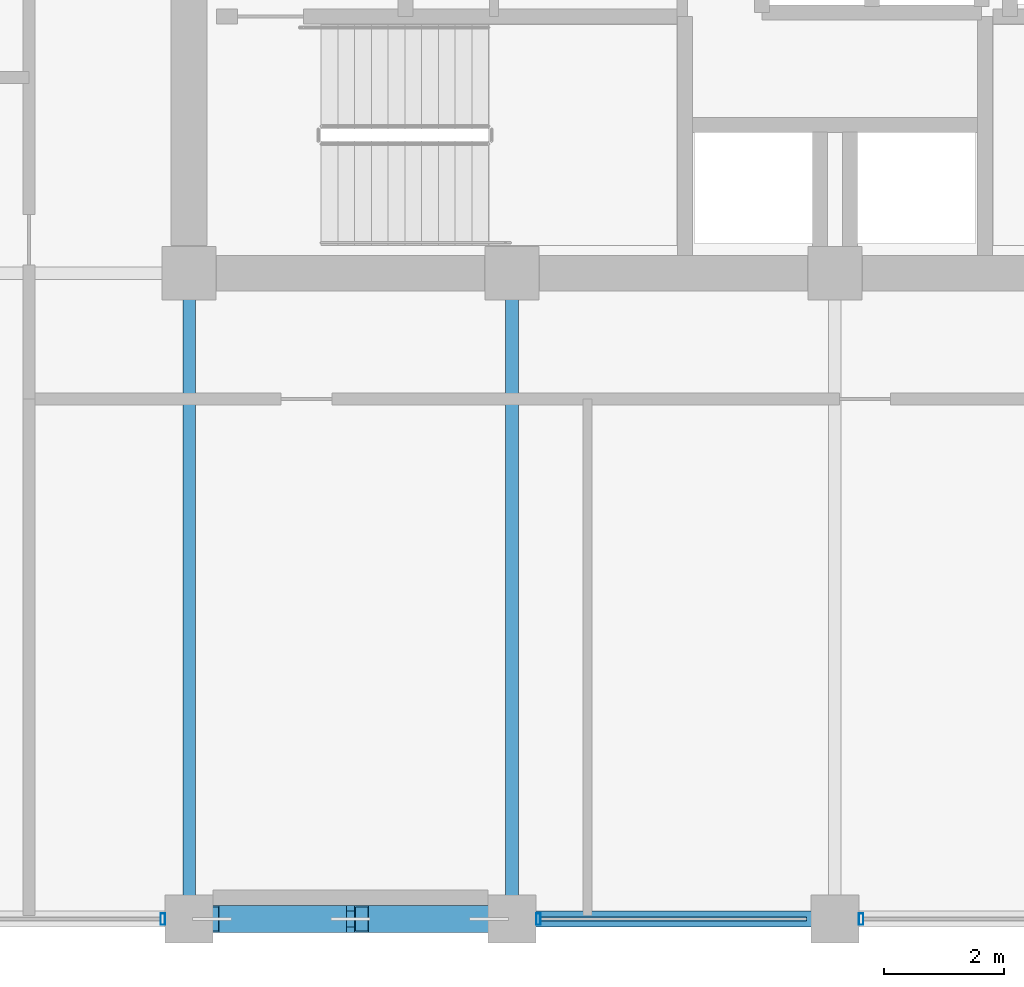
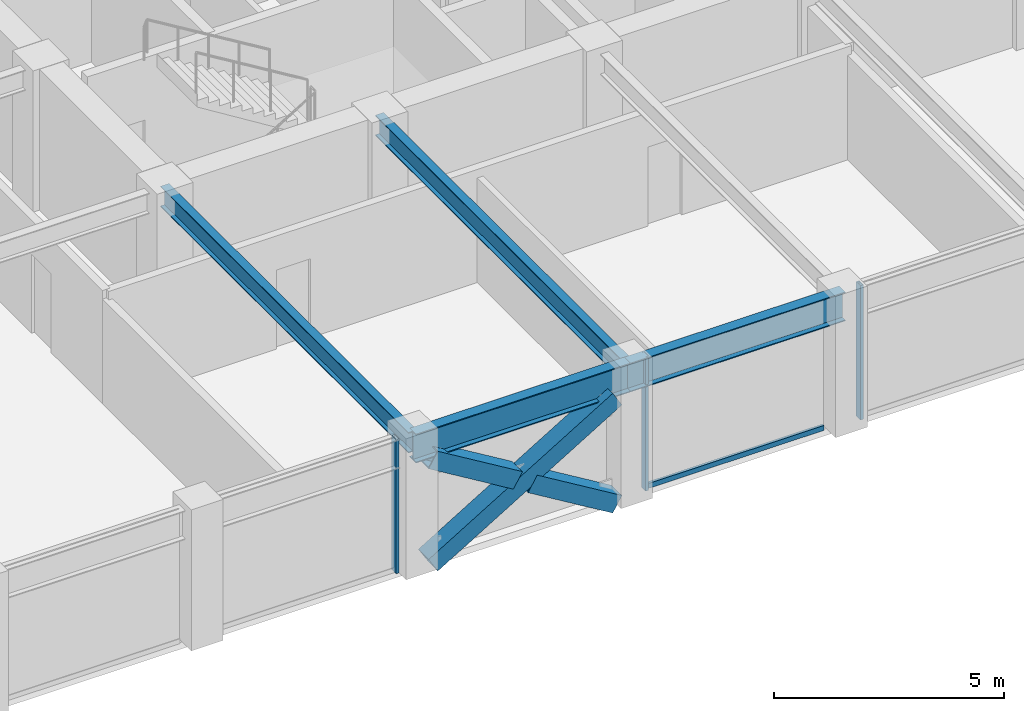
# One storey, part 6 of 32: 7 members, 4 beams, 2 elements without a shape of their own.
"""IFC4 building model written with IfcOpenShell, lengths in metres."""

from ifc_helpers import new_model, si_unit, direction, frame, origin, origin_2d, place, context, subcontext, project, spatial, hollow_rectangle, i_section, extrude, material, layer, layer_set, material_profile, profile_set, type_object, element, aggregate, save


model = new_model("IFC4")

# Units and contexts
model_context = context("Model", 3, precision=1e-05, world=origin(), true_north=direction((0.0, 1.0)))
body_context = subcontext(model_context, "Body", "Model", "MODEL_VIEW")
ifc_project = project(units=[si_unit("LENGTHUNIT", "METRE"), si_unit("AREAUNIT", "SQUARE_METRE"), si_unit("VOLUMEUNIT", "CUBIC_METRE"), si_unit("PLANEANGLEUNIT", "RADIAN"), si_unit("MASSUNIT", "GRAM", prefix="KILO")], contexts=[model_context])

# Site, building, storey
site_placement = place(None, origin())
site = spatial("IfcSite", under=ifc_project, at=site_placement, CompositionType="ELEMENT")
building_placement = place(site_placement, origin())
building = spatial("IfcBuilding", under=site, at=building_placement, Name="Surkhivell Harbour Commons", CompositionType="ELEMENT")
storey_placement = place(building_placement, frame((0.0, 0.0, 234.75)))
storey = spatial("IfcBuildingStorey", under=building, at=storey_placement, Name="L61", CompositionType="ELEMENT", Elevation=234.75)

# Beams
ifc_material_1 = material(Name="Steel S355", Category="steel")
ifc_material_profile_1 = material_profile(ifc_material_1, i_section(OverallWidth=0.2119140625, OverallDepth=0.5439453125, WebThickness=0.0126953125, FlangeThickness=0.021240234375, at=origin_2d()), Name="UB533x210x122")
ifc_profile_set_1 = profile_set([ifc_material_profile_1], Name="Steel S355")
beam_type_1 = type_object("IfcBeamType", Name="BM-GRD-533A", PredefinedType="BEAM", material=ifc_profile_set_1)
for number, where, z_axis, x_axis, name in (
    (1, (-10.800048828125, -21.60009765625, 3.298095703125), (0.0, 1.0, 0.0), (-1.0, 0.0, 0.0), "L61 Floor Girder (-10.8,-21.6)"),
    (2, (-5.39990234375, -21.60009765625, 3.298095703125), (0.0, 1.0, 0.0), (-1.0, 0.0, 0.0), "L61 Floor Girder (-5.4,-21.6)"),
):
    element("IfcBeam", number, at=place(storey_placement, frame(where, z_axis=z_axis, x_axis=x_axis)), inside=storey, type_object=beam_type_1, Name=name, PredefinedType="BEAM", context=body_context, shape_type="SweptSolid", body=[
        extrude(i_section(OverallWidth=0.2119140625, OverallDepth=0.5439453125, WebThickness=0.0126953125, FlangeThickness=0.021240234375, at=origin_2d()), origin(), (0.0, 0.0, 1.0), 10.800048828125),
    ])
ifc_material_profile_2 = material_profile(ifc_material_1, i_section(OverallWidth=0.26806640625, OverallDepth=0.77001953125, WebThickness=0.015625, FlangeThickness=0.025390625, at=origin_2d()), Name="UB762x267x197")
ifc_profile_set_2 = profile_set([ifc_material_profile_2], Name="Steel S355")
beam_type_2 = type_object("IfcBeamType", Name="BM-SPN-762", PredefinedType="SPANDREL", material=ifc_profile_set_2)
beam_1_placement = place(storey_placement, frame((-10.800048828125, -21.60009765625, 3.18505859375), z_axis=(1.0, 0.0, 0.0), x_axis=(0.0, 1.0, 0.0)))
element("IfcBeam", 3, at=beam_1_placement, inside=storey, type_object=beam_type_2, Name="L61 Tube Spandrel (-10.8,-21.6)", PredefinedType="SPANDREL", context=body_context, shape_type="SweptSolid", body=[
    extrude(i_section(OverallWidth=0.26806640625, OverallDepth=0.77001953125, WebThickness=0.015625, FlangeThickness=0.025390625, at=origin_2d()), origin(), (0.0, 0.0, 1.0), 5.400146484375),
])
beam_2_placement = place(storey_placement, frame((-5.39990234375, -21.60009765625, 3.18505859375), z_axis=(1.0, 0.0, 0.0), x_axis=(0.0, 1.0, 0.0)))
element("IfcBeam", 4, at=beam_2_placement, inside=storey, type_object=beam_type_2, Name="L61 Tube Spandrel (-5.4,-21.6)", PredefinedType="SPANDREL", context=body_context, shape_type="SweptSolid", body=[
    extrude(i_section(OverallWidth=0.26806640625, OverallDepth=0.77001953125, WebThickness=0.015625, FlangeThickness=0.025390625, at=origin_2d()), origin(), (0.0, 0.0, 1.0), 5.39990234375),
])

# Curtain wall, member
ifc_material_2 = material(Name="Anodised pale-metal aluminium and insulated glazing", Category="aluminium")
ifc_layer = layer(ifc_material_2, 0.18994140625)
ifc_layer_set = layer_set([ifc_layer], Name="Anodised pale-metal aluminium and insulated glazing")
curtain_wall_type = type_object("IfcCurtainWallType", Name="CW-SYS-Z3", PredefinedType="NOTDEFINED", material=ifc_layer_set)
curtain_wall_1_placement = place(storey_placement, origin())
curtain_wall_1 = element("IfcCurtainWall", 5, at=curtain_wall_1_placement, inside=storey, type_object=curtain_wall_type, Name="L61 Curtain Wall CW-L61-E00S1", PredefinedType="NOTDEFINED")
ifc_material_3 = material(Name="Anodised pale-metal aluminium alloy 6063-T6", Category="aluminium")
ifc_material_profile_3 = material_profile(ifc_material_3, hollow_rectangle(XDim=0.074951171875, YDim=0.18994140625, WallThickness=0.00390625, at=origin_2d()), Name="ALU-MULL-75x190")
ifc_profile_set_3 = profile_set([ifc_material_profile_3], Name="Anodised pale-metal aluminium alloy 6063-T6")
member_type_1 = type_object("IfcMemberType", Name="CWM-190", PredefinedType="MULLION", material=ifc_profile_set_3)
member_1_placement = place(storey_placement, frame((-11.239501953125, -21.60009765625, 0.0), z_axis=(0.0, 0.0, 1.0), x_axis=(1.0, 0.0, 0.0)))
member_1 = element("IfcMember", 6, at=member_1_placement, type_object=member_type_1, Name="CW-Z3 mullion 3", PredefinedType="MULLION", context=body_context, shape_type="SweptSolid", body=[
    extrude(hollow_rectangle(XDim=0.074951171875, YDim=0.18994140625, WallThickness=0.00390625, at=origin_2d()), origin(), (0.0, 0.0, 1.0), 3.570068359375),
])
aggregate(curtain_wall_1, [member_1])

# Curtain wall, members
curtain_wall_2_placement = place(storey_placement, origin())
curtain_wall_2 = element("IfcCurtainWall", 7, at=curtain_wall_2_placement, inside=storey, type_object=curtain_wall_type, Name="L61 Curtain Wall CW-L61-E00S2", PredefinedType="NOTDEFINED")
member_2_placement = place(storey_placement, frame((-4.96044921875, -21.60009765625, 0.0), z_axis=(0.0, 0.0, 1.0), x_axis=(1.0, 0.0, 0.0)))
member_2 = element("IfcMember", 8, at=member_2_placement, type_object=member_type_1, Name="CW-Z3 mullion 1", PredefinedType="MULLION", context=body_context, shape_type="SweptSolid", body=[
    extrude(hollow_rectangle(XDim=0.074951171875, YDim=0.18994140625, WallThickness=0.00390625, at=origin_2d()), origin(), (0.0, 0.0, 1.0), 3.570068359375),
])
member_3_placement = place(storey_placement, frame((0.439453125, -21.60009765625, 0.0), z_axis=(0.0, 0.0, 1.0), x_axis=(1.0, 0.0, 0.0)))
member_3 = element("IfcMember", 9, at=member_3_placement, type_object=member_type_1, Name="CW-Z3 mullion 2", PredefinedType="MULLION", context=body_context, shape_type="SweptSolid", body=[
    extrude(hollow_rectangle(XDim=0.074951171875, YDim=0.18994140625, WallThickness=0.00390625, at=origin_2d()), origin(), (0.0, 0.0, 1.0), 3.570068359375),
])
ifc_material_4 = material(Name="Champagne anodised aluminium alloy 6063-T6", Category="aluminium")
ifc_material_profile_4 = material_profile(ifc_material_4, hollow_rectangle(XDim=0.070068359375, YDim=0.1298828125, WallThickness=0.00341796875, at=origin_2d()), Name="ALU-TRAN-70x130")
ifc_profile_set_4 = profile_set([ifc_material_profile_4], Name="Champagne anodised aluminium alloy 6063-T6")
member_type_2 = type_object("IfcMemberType", Name="CWT-130", PredefinedType="USERDEFINED", material=ifc_profile_set_4)
member_4_placement = place(storey_placement, frame((-4.923095703125, -21.60009765625, 0.06494140625), z_axis=(1.0, 0.0, 0.0), x_axis=(0.0, 1.0, 0.0)))
member_4 = element("IfcMember", 10, at=member_4_placement, type_object=member_type_2, Name="CW-Z3 transom 1.1", ObjectType="TRANSOM", PredefinedType="USERDEFINED", context=body_context, shape_type="SweptSolid", body=[
    extrude(hollow_rectangle(XDim=0.070068359375, YDim=0.1298828125, WallThickness=0.00341796875, at=origin_2d()), origin(), (0.0, 0.0, 1.0), 4.446044921875),
])
aggregate(curtain_wall_2, [member_2, member_4, member_3])

# Members
ifc_material_5 = material(Name="Steel S460", Category="steel")
ifc_material_profile_5 = material_profile(ifc_material_5, hollow_rectangle(XDim=0.449951171875, YDim=0.449951171875, WallThickness=0.02197265625, at=origin_2d()), Name="SHS450x450x22")
ifc_profile_set_5 = profile_set([ifc_material_profile_5], Name="Steel S460")
member_type_3 = type_object("IfcMemberType", Name="MEM-BRC-SHS450", PredefinedType="BRACE", material=ifc_profile_set_5)
member_5_placement = place(storey_placement, frame((-10.4150390625, -21.60009765625, 0.008056640625), z_axis=(0.856035804566, 0.0, 0.516916532238), x_axis=(0.0, 1.0, 0.0)))
element("IfcMember", 11, at=member_5_placement, inside=storey, type_object=member_type_3, Name="L61 Perimeter Mega-Brace MB- 07", PredefinedType="BRACE", context=body_context, shape_type="SweptSolid", body=[
    extrude(hollow_rectangle(XDim=0.449951171875, YDim=0.449951171875, WallThickness=0.02197265625, at=origin_2d()), origin(), (0.0, 0.0, 1.0), 5.40869140625),
])
member_6_placement = place(storey_placement, frame((-5.784912109375, -21.60009765625, 0.008056640625), z_axis=(-0.856061168755, 0.0, 0.516874525731), x_axis=(0.0, -1.0, 0.0)))
element("IfcMember", 12, at=member_6_placement, inside=storey, type_object=member_type_3, Name="L61 Perimeter Mega-Brace MB- 08", PredefinedType="BRACE", context=body_context, shape_type="SweptSolid", body=[
    extrude(hollow_rectangle(XDim=0.449951171875, YDim=0.449951171875, WallThickness=0.02197265625, at=origin_2d()), origin(), (0.0, 0.0, 1.0), 2.48828125),
])
member_7_placement = place(storey_placement, frame((-8.284912109375, -21.60009765625, 1.517578125), z_axis=(-0.856017753989, 0.0, 0.516946423584), x_axis=(0.0, -1.0, 0.0)))
element("IfcMember", 13, at=member_7_placement, inside=storey, type_object=member_type_3, Name="L61 Perimeter Mega-Brace MB- 09", PredefinedType="BRACE", context=body_context, shape_type="SweptSolid", body=[
    extrude(hollow_rectangle(XDim=0.449951171875, YDim=0.449951171875, WallThickness=0.02197265625, at=origin_2d()), origin(), (0.0, 0.0, 1.0), 2.488525390625),
])

save(model, "model.ifc")
